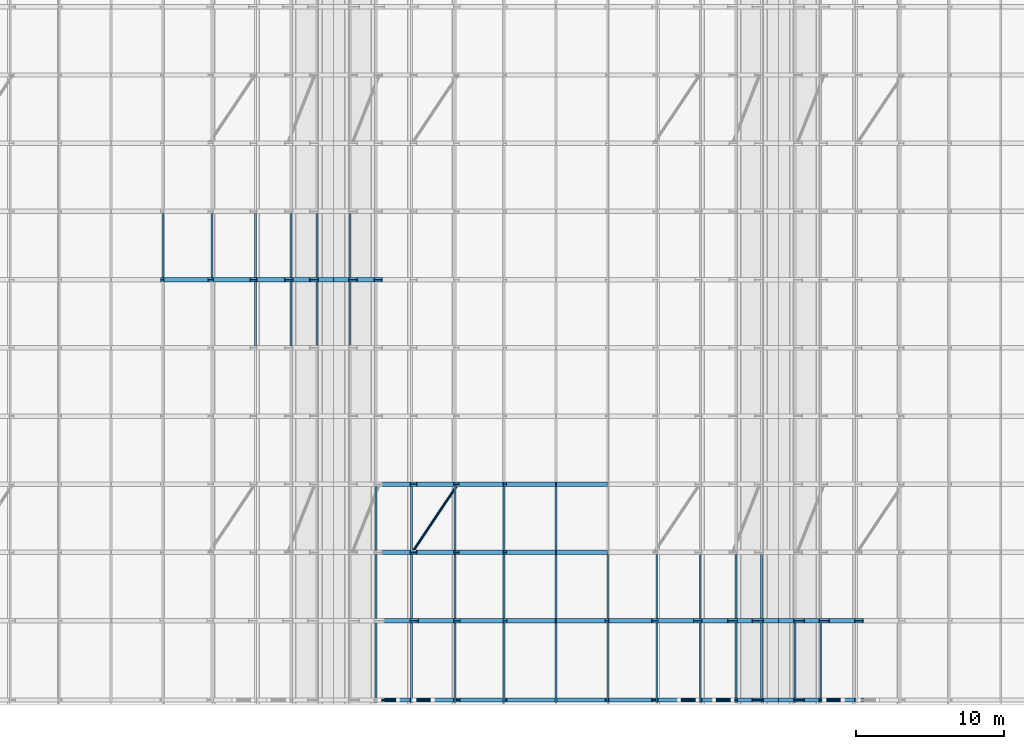
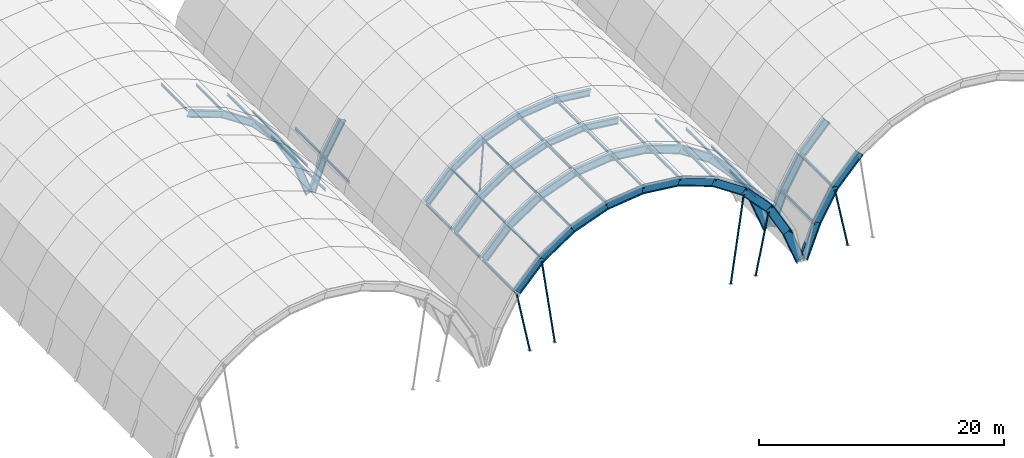
# One storey, part 9 of 47: 80 beams, 6 members.
"""IFC4 building model written with IfcOpenShell, lengths in metres."""

from ifc_helpers import new_model, si_unit, direction, frame, origin, origin_2d, place, context, subcontext, project, spatial, hollow_circle, i_section, extrude, material, material_profile, profile_set, type_object, element, save


model = new_model("IFC4")

# Units and contexts
model_context = context("Model", 3, precision=1e-05, world=origin(), true_north=direction((0.0, 1.0)))
body_context = subcontext(model_context, "Body", "Model", "MODEL_VIEW")
ifc_project = project(units=[si_unit("LENGTHUNIT", "METRE"), si_unit("AREAUNIT", "SQUARE_METRE"), si_unit("VOLUMEUNIT", "CUBIC_METRE"), si_unit("PLANEANGLEUNIT", "RADIAN"), si_unit("MASSUNIT", "GRAM", prefix="KILO")], contexts=[model_context])

# Site, building, storey
site_placement = place(None, origin())
site = spatial("IfcSite", under=ifc_project, at=site_placement, CompositionType="ELEMENT")
building_placement = place(site_placement, origin())
building = spatial("IfcBuilding", under=site, at=building_placement, Name="Muzn Square Opera House", CompositionType="ELEMENT")
storey_placement = place(building_placement, frame((0.0, 0.0, 31.0)))
storey = spatial("IfcBuildingStorey", under=building, at=storey_placement, Name="RF-1", CompositionType="ELEMENT", Elevation=31.0)

# Beams
ifc_material = material(Name="Steel S355", Category="steel")
ifc_material_profile_1 = material_profile(ifc_material, i_section(OverallWidth=0.300048828125, OverallDepth=0.800048828125, WebThickness=0.017578125, FlangeThickness=0.032958984375, FilletRadius=0.030029296875, at=origin_2d()), Name="HEB 800", Category="steel")
ifc_profile_set_1 = profile_set([ifc_material_profile_1], Name="Steel S355")
beam_type_1 = type_object("IfcBeamType", Name="Gable Arch Rib HEB800", PredefinedType="BEAM", material=ifc_profile_set_1)
beam_1_placement = place(storey_placement, frame((76.08984375, 21.25, -6.281494140625), z_axis=(0.681076644636, 0.0, 0.732212130555), x_axis=(0.0, 1.0, 0.0)))
element("IfcBeam", 1, at=beam_1_placement, inside=storey, type_object=beam_type_1, Name="Barrel Vault Arch Rib V2-00-S02", PredefinedType="BEAM", context=body_context, shape_type="SweptSolid", body=[
    extrude(i_section(OverallWidth=0.300048828125, OverallDepth=0.800048828125, WebThickness=0.017578125, FlangeThickness=0.032958984375, FilletRadius=0.030029296875, at=origin_2d()), origin(), (0.0, 0.0, 1.0), 3.45654296875),
])
for number, where, z_axis, x_axis, name in (
    (2, (78.444091796875, 21.25, -3.75048828125), (0.832701668502, 0.0, 0.553721889827), (0.0, 1.0, 0.0), "Barrel Vault Arch Rib V2-00-S03"),
    (3, (81.322509765625, 21.25, -1.83642578125), (0.938647830501, 0.0, 0.344877152471), (0.0, 1.0, 0.0), "Barrel Vault Arch Rib V2-00-S04"),
):
    element("IfcBeam", number, at=place(storey_placement, frame(where, z_axis=z_axis, x_axis=x_axis)), inside=storey, type_object=beam_type_1, Name=name, PredefinedType="BEAM", context=body_context, shape_type="SweptSolid", body=[
        extrude(i_section(OverallWidth=0.300048828125, OverallDepth=0.800048828125, WebThickness=0.017578125, FlangeThickness=0.032958984375, FilletRadius=0.030029296875, at=origin_2d()), origin(), (0.0, 0.0, 1.0), 3.456787109375),
    ])
for number, where, z_axis, x_axis, name in (
    (4, (84.567138671875, 21.25, -0.644287109375), (0.99313613312, 0.0, 0.116964187216), (0.0, 1.0, 0.0), "Barrel Vault Arch Rib V2-00-S05"),
    (5, (88.0, 21.25, -0.239990234375), (0.99313613312, 0.0, -0.116964187216), (0.0, 1.0, 0.0), "Barrel Vault Arch Rib V2-00-S06"),
):
    element("IfcBeam", number, at=place(storey_placement, frame(where, z_axis=z_axis, x_axis=x_axis)), inside=storey, type_object=beam_type_1, Name=name, PredefinedType="BEAM", context=body_context, shape_type="SweptSolid", body=[
        extrude(i_section(OverallWidth=0.300048828125, OverallDepth=0.800048828125, WebThickness=0.017578125, FlangeThickness=0.032958984375, FilletRadius=0.030029296875, at=origin_2d()), origin(), (0.0, 0.0, 1.0), 3.45654296875),
    ])
for number, where, z_axis, x_axis, name in (
    (6, (91.432861328125, 21.25, -0.644287109375), (0.938647830501, 0.0, -0.344877152471), (0.0, 1.0, 0.0), "Barrel Vault Arch Rib V2-00-S07"),
    (7, (94.677490234375, 21.25, -1.83642578125), (0.832701668502, 0.0, -0.553721889827), (0.0, 1.0, 0.0), "Barrel Vault Arch Rib V2-00-S08"),
):
    element("IfcBeam", number, at=place(storey_placement, frame(where, z_axis=z_axis, x_axis=x_axis)), inside=storey, type_object=beam_type_1, Name=name, PredefinedType="BEAM", context=body_context, shape_type="SweptSolid", body=[
        extrude(i_section(OverallWidth=0.300048828125, OverallDepth=0.800048828125, WebThickness=0.017578125, FlangeThickness=0.032958984375, FilletRadius=0.030029296875, at=origin_2d()), origin(), (0.0, 0.0, 1.0), 3.456787109375),
    ])
beam_2_placement = place(storey_placement, frame((97.555908203125, 21.25, -3.75048828125), z_axis=(0.681076644636, 0.0, -0.732212130555), x_axis=(0.0, 1.0, 0.0)))
element("IfcBeam", 8, at=beam_2_placement, inside=storey, type_object=beam_type_1, Name="Barrel Vault Arch Rib V2-00-S09", PredefinedType="BEAM", context=body_context, shape_type="SweptSolid", body=[
    extrude(i_section(OverallWidth=0.300048828125, OverallDepth=0.800048828125, WebThickness=0.017578125, FlangeThickness=0.032958984375, FilletRadius=0.030029296875, at=origin_2d()), origin(), (0.0, 0.0, 1.0), 3.45654296875),
])
beam_3_placement = place(storey_placement, frame((99.91015625, 21.25, -6.281494140625), z_axis=(0.492117762624, 0.0, -0.870528636927), x_axis=(0.0, 1.0, 0.0)))
element("IfcBeam", 9, at=beam_3_placement, inside=storey, type_object=beam_type_1, Name="Barrel Vault Arch Rib V2-00-S10", PredefinedType="BEAM", context=body_context, shape_type="SweptSolid", body=[
    extrude(i_section(OverallWidth=0.300048828125, OverallDepth=0.800048828125, WebThickness=0.017578125, FlangeThickness=0.032958984375, FilletRadius=0.030029296875, at=origin_2d()), origin(), (0.0, 0.0, 1.0), 3.456787109375),
])
beam_4_placement = place(storey_placement, frame((101.611328125, 21.25, -9.290771484375), z_axis=(0.362708999619, 0.0, -0.931902452832), x_axis=(0.0, 1.0, 0.0)))
element("IfcBeam", 10, at=beam_4_placement, inside=storey, type_object=beam_type_1, Name="Barrel Vault Arch Rib V2-00-S11", PredefinedType="BEAM", context=body_context, shape_type="SweptSolid", body=[
    extrude(i_section(OverallWidth=0.300048828125, OverallDepth=0.800048828125, WebThickness=0.017578125, FlangeThickness=0.032958984375, FilletRadius=0.030029296875, at=origin_2d()), origin(), (0.0, 0.0, 1.0), 3.49755859375),
])
beam_5_placement = place(storey_placement, frame((76.08984375, 26.60009765625, -6.281494140625), z_axis=(0.681076644636, 0.0, 0.732212130555), x_axis=(0.0, 1.0, 0.0)))
element("IfcBeam", 11, at=beam_5_placement, inside=storey, type_object=beam_type_1, Name="Barrel Vault Arch Rib V2-01-S02", PredefinedType="BEAM", context=body_context, shape_type="SweptSolid", body=[
    extrude(i_section(OverallWidth=0.300048828125, OverallDepth=0.800048828125, WebThickness=0.017578125, FlangeThickness=0.032958984375, FilletRadius=0.030029296875, at=origin_2d()), origin(), (0.0, 0.0, 1.0), 3.45654296875),
])
for number, where, z_axis, x_axis, name in (
    (12, (78.444091796875, 26.60009765625, -3.75048828125), (0.832701668502, 0.0, 0.553721889827), (0.0, 1.0, 0.0), "Barrel Vault Arch Rib V2-01-S03"),
    (13, (81.322509765625, 26.60009765625, -1.83642578125), (0.938647830501, 0.0, 0.344877152471), (0.0, 1.0, 0.0), "Barrel Vault Arch Rib V2-01-S04"),
):
    element("IfcBeam", number, at=place(storey_placement, frame(where, z_axis=z_axis, x_axis=x_axis)), inside=storey, type_object=beam_type_1, Name=name, PredefinedType="BEAM", context=body_context, shape_type="SweptSolid", body=[
        extrude(i_section(OverallWidth=0.300048828125, OverallDepth=0.800048828125, WebThickness=0.017578125, FlangeThickness=0.032958984375, FilletRadius=0.030029296875, at=origin_2d()), origin(), (0.0, 0.0, 1.0), 3.456787109375),
    ])
for number, where, z_axis, x_axis, name in (
    (14, (84.567138671875, 26.60009765625, -0.644287109375), (0.99313613312, 0.0, 0.116964187216), (0.0, 1.0, 0.0), "Barrel Vault Arch Rib V2-01-S05"),
    (15, (88.0, 26.60009765625, -0.239990234375), (0.99313613312, 0.0, -0.116964187216), (0.0, 1.0, 0.0), "Barrel Vault Arch Rib V2-01-S06"),
):
    element("IfcBeam", number, at=place(storey_placement, frame(where, z_axis=z_axis, x_axis=x_axis)), inside=storey, type_object=beam_type_1, Name=name, PredefinedType="BEAM", context=body_context, shape_type="SweptSolid", body=[
        extrude(i_section(OverallWidth=0.300048828125, OverallDepth=0.800048828125, WebThickness=0.017578125, FlangeThickness=0.032958984375, FilletRadius=0.030029296875, at=origin_2d()), origin(), (0.0, 0.0, 1.0), 3.45654296875),
    ])
for number, where, z_axis, x_axis, name in (
    (16, (91.432861328125, 26.60009765625, -0.644287109375), (0.938647830501, 0.0, -0.344877152471), (0.0, 1.0, 0.0), "Barrel Vault Arch Rib V2-01-S07"),
    (17, (94.677490234375, 26.60009765625, -1.83642578125), (0.832701668502, 0.0, -0.553721889827), (0.0, 1.0, 0.0), "Barrel Vault Arch Rib V2-01-S08"),
):
    element("IfcBeam", number, at=place(storey_placement, frame(where, z_axis=z_axis, x_axis=x_axis)), inside=storey, type_object=beam_type_1, Name=name, PredefinedType="BEAM", context=body_context, shape_type="SweptSolid", body=[
        extrude(i_section(OverallWidth=0.300048828125, OverallDepth=0.800048828125, WebThickness=0.017578125, FlangeThickness=0.032958984375, FilletRadius=0.030029296875, at=origin_2d()), origin(), (0.0, 0.0, 1.0), 3.456787109375),
    ])
beam_6_placement = place(storey_placement, frame((97.555908203125, 26.60009765625, -3.75048828125), z_axis=(0.681076644636, 0.0, -0.732212130555), x_axis=(0.0, 1.0, 0.0)))
element("IfcBeam", 18, at=beam_6_placement, inside=storey, type_object=beam_type_1, Name="Barrel Vault Arch Rib V2-01-S09", PredefinedType="BEAM", context=body_context, shape_type="SweptSolid", body=[
    extrude(i_section(OverallWidth=0.300048828125, OverallDepth=0.800048828125, WebThickness=0.017578125, FlangeThickness=0.032958984375, FilletRadius=0.030029296875, at=origin_2d()), origin(), (0.0, 0.0, 1.0), 3.45654296875),
])
beam_7_placement = place(storey_placement, frame((99.91015625, 26.60009765625, -6.281494140625), z_axis=(0.492117762624, 0.0, -0.870528636927), x_axis=(0.0, 1.0, 0.0)))
element("IfcBeam", 19, at=beam_7_placement, inside=storey, type_object=beam_type_1, Name="Barrel Vault Arch Rib V2-01-S10", PredefinedType="BEAM", context=body_context, shape_type="SweptSolid", body=[
    extrude(i_section(OverallWidth=0.300048828125, OverallDepth=0.800048828125, WebThickness=0.017578125, FlangeThickness=0.032958984375, FilletRadius=0.030029296875, at=origin_2d()), origin(), (0.0, 0.0, 1.0), 3.456787109375),
])
for number, where, z_axis, x_axis, name in (
    (20, (101.611328125, 26.60009765625, -9.290771484375), (0.362708999619, 0.0, -0.931902452832), (0.0, 1.0, 0.0), "Barrel Vault Arch Rib V2-01-S11"),
    (21, (103.1201171875, 21.25, -12.550048828125), (0.362708999619, 0.0, 0.931902452832), (0.0, 1.0, 0.0), "Barrel Vault Arch Rib V3-00-S00"),
):
    element("IfcBeam", number, at=place(storey_placement, frame(where, z_axis=z_axis, x_axis=x_axis)), inside=storey, type_object=beam_type_1, Name=name, PredefinedType="BEAM", context=body_context, shape_type="SweptSolid", body=[
        extrude(i_section(OverallWidth=0.300048828125, OverallDepth=0.800048828125, WebThickness=0.017578125, FlangeThickness=0.032958984375, FilletRadius=0.030029296875, at=origin_2d()), origin(), (0.0, 0.0, 1.0), 3.49755859375),
    ])
beam_8_placement = place(storey_placement, frame((104.388671875, 21.25, -9.290771484375), z_axis=(0.492117762624, 0.0, 0.870528636927), x_axis=(0.0, 1.0, 0.0)))
element("IfcBeam", 22, at=beam_8_placement, inside=storey, type_object=beam_type_1, Name="Barrel Vault Arch Rib V3-00-S01", PredefinedType="BEAM", context=body_context, shape_type="SweptSolid", body=[
    extrude(i_section(OverallWidth=0.300048828125, OverallDepth=0.800048828125, WebThickness=0.017578125, FlangeThickness=0.032958984375, FilletRadius=0.030029296875, at=origin_2d()), origin(), (0.0, 0.0, 1.0), 3.456787109375),
])
beam_9_placement = place(storey_placement, frame((106.08984375, 21.25, -6.281494140625), z_axis=(0.681076644636, 0.0, 0.732212130555), x_axis=(0.0, 1.0, 0.0)))
element("IfcBeam", 23, at=beam_9_placement, inside=storey, type_object=beam_type_1, Name="Barrel Vault Arch Rib V3-00-S02", PredefinedType="BEAM", context=body_context, shape_type="SweptSolid", body=[
    extrude(i_section(OverallWidth=0.300048828125, OverallDepth=0.800048828125, WebThickness=0.017578125, FlangeThickness=0.032958984375, FilletRadius=0.030029296875, at=origin_2d()), origin(), (0.0, 0.0, 1.0), 3.45654296875),
])
beam_10_placement = place(storey_placement, frame((103.1201171875, 26.60009765625, -12.550048828125), z_axis=(0.362708999619, 0.0, 0.931902452832), x_axis=(0.0, 1.0, 0.0)))
element("IfcBeam", 24, at=beam_10_placement, inside=storey, type_object=beam_type_1, Name="Barrel Vault Arch Rib V3-01-S00", PredefinedType="BEAM", context=body_context, shape_type="SweptSolid", body=[
    extrude(i_section(OverallWidth=0.300048828125, OverallDepth=0.800048828125, WebThickness=0.017578125, FlangeThickness=0.032958984375, FilletRadius=0.030029296875, at=origin_2d()), origin(), (0.0, 0.0, 1.0), 3.49755859375),
])
beam_11_placement = place(storey_placement, frame((104.388671875, 26.60009765625, -9.290771484375), z_axis=(0.492117762624, 0.0, 0.870528636927), x_axis=(0.0, 1.0, 0.0)))
element("IfcBeam", 25, at=beam_11_placement, inside=storey, type_object=beam_type_1, Name="Barrel Vault Arch Rib V3-01-S01", PredefinedType="BEAM", context=body_context, shape_type="SweptSolid", body=[
    extrude(i_section(OverallWidth=0.300048828125, OverallDepth=0.800048828125, WebThickness=0.017578125, FlangeThickness=0.032958984375, FilletRadius=0.030029296875, at=origin_2d()), origin(), (0.0, 0.0, 1.0), 3.456787109375),
])
beam_12_placement = place(storey_placement, frame((106.08984375, 26.60009765625, -6.281494140625), z_axis=(0.681076644636, 0.0, 0.732212130555), x_axis=(0.0, 1.0, 0.0)))
element("IfcBeam", 26, at=beam_12_placement, inside=storey, type_object=beam_type_1, Name="Barrel Vault Arch Rib V3-01-S02", PredefinedType="BEAM", context=body_context, shape_type="SweptSolid", body=[
    extrude(i_section(OverallWidth=0.300048828125, OverallDepth=0.800048828125, WebThickness=0.017578125, FlangeThickness=0.032958984375, FilletRadius=0.030029296875, at=origin_2d()), origin(), (0.0, 0.0, 1.0), 3.45654296875),
])
ifc_material_profile_2 = material_profile(ifc_material, i_section(OverallWidth=0.1201171875, OverallDepth=0.239990234375, WebThickness=0.006103515625, FlangeThickness=0.009765625, FilletRadius=0.014892578125, at=origin_2d()), Name="IPE 240", Category="steel")
ifc_profile_set_2 = profile_set([ifc_material_profile_2], Name="Steel S355")
beam_type_2 = type_object("IfcBeamType", Name="Roof Purlin IPE240", PredefinedType="USERDEFINED", material=ifc_profile_set_2)
for number, where, z_axis, x_axis, name in (
    (27, (67.7373046875, 45.139892578125, -3.537109375), (0.0, 1.0, 0.0), (-1.0, 0.0, 0.0), "Barrel Vault Roof Purlin V1-05-P18"),
    (28, (70.13623046875, 45.139892578125, -6.1162109375), (0.0, 1.0, 0.0), (-1.0, 0.0, 0.0), "Barrel Vault Roof Purlin V1-05-P20"),
    (29, (71.869384765625, 45.139892578125, -9.1826171875), (0.0, 1.0, 0.0), (-1.0, 0.0, 0.0), "Barrel Vault Roof Purlin V1-05-P22"),
    (30, (61.498046875, 49.739990234375, -0.3720703125), (0.0, 1.0, 0.0), (-1.0, 0.0, 0.0), "Barrel Vault Roof Purlin V1-06-P14"),
    (31, (64.80419921875, 49.739990234375, -1.5869140625), (0.0, 1.0, 0.0), (-1.0, 0.0, 0.0), "Barrel Vault Roof Purlin V1-06-P16"),
    (32, (67.7373046875, 49.739990234375, -3.537109375), (0.0, 1.0, 0.0), (-1.0, 0.0, 0.0), "Barrel Vault Roof Purlin V1-06-P18"),
    (33, (70.13623046875, 49.739990234375, -6.1162109375), (0.0, 1.0, 0.0), (-1.0, 0.0, 0.0), "Barrel Vault Roof Purlin V1-06-P20"),
    (34, (71.869384765625, 49.739990234375, -9.1826171875), (0.0, 1.0, 0.0), (-1.0, 0.0, 0.0), "Barrel Vault Roof Purlin V1-06-P22"),
):
    element("IfcBeam", number, at=place(storey_placement, frame(where, z_axis=z_axis, x_axis=x_axis)), inside=storey, type_object=beam_type_2, Name=name, ObjectType="PURLIN", PredefinedType="USERDEFINED", context=body_context, shape_type="SweptSolid", body=[
        extrude(i_section(OverallWidth=0.1201171875, OverallDepth=0.239990234375, WebThickness=0.006103515625, FlangeThickness=0.009765625, FilletRadius=0.014892578125, at=origin_2d()), origin(), (0.0, 0.0, 1.0), 4.320068359375),
    ])
for number, where, z_axis, x_axis, name in (
    (35, (75.86376953125, 21.090087890625, -6.1162109375), (0.0, 1.0, 0.0), (-1.0, 0.0, 0.0), "Barrel Vault Roof Purlin V2-00-P04"),
    (36, (78.2626953125, 21.090087890625, -3.537109375), (0.0, 1.0, 0.0), (-1.0, 0.0, 0.0), "Barrel Vault Roof Purlin V2-00-P06"),
    (37, (81.19580078125, 21.090087890625, -1.5869140625), (0.0, 1.0, 0.0), (-1.0, 0.0, 0.0), "Barrel Vault Roof Purlin V2-00-P08"),
    (38, (84.501953125, 21.090087890625, -0.3720703125), (0.0, 1.0, 0.0), (-1.0, 0.0, 0.0), "Barrel Vault Roof Purlin V2-00-P10"),
    (39, (88.0, 21.090087890625, 0.0400390625), (0.0, 1.0, 0.0), (-1.0, 0.0, 0.0), "Barrel Vault Roof Purlin V2-00-P12"),
    (40, (91.498046875, 21.090087890625, -0.3720703125), (0.0, 1.0, 0.0), (-1.0, 0.0, 0.0), "Barrel Vault Roof Purlin V2-00-P14"),
    (41, (94.80419921875, 21.090087890625, -1.5869140625), (0.0, 1.0, 0.0), (-1.0, 0.0, 0.0), "Barrel Vault Roof Purlin V2-00-P16"),
    (42, (97.7373046875, 21.090087890625, -3.537109375), (0.0, 1.0, 0.0), (-1.0, 0.0, 0.0), "Barrel Vault Roof Purlin V2-00-P18"),
    (43, (100.13623046875, 21.090087890625, -6.1162109375), (0.0, 1.0, 0.0), (-1.0, 0.0, 0.0), "Barrel Vault Roof Purlin V2-00-P20"),
    (44, (101.869384765625, 21.090087890625, -9.1826171875), (0.0, 1.0, 0.0), (-1.0, 0.0, 0.0), "Barrel Vault Roof Purlin V2-00-P22"),
):
    element("IfcBeam", number, at=place(storey_placement, frame(where, z_axis=z_axis, x_axis=x_axis)), inside=storey, type_object=beam_type_2, Name=name, ObjectType="PURLIN", PredefinedType="USERDEFINED", context=body_context, shape_type="SweptSolid", body=[
        extrude(i_section(OverallWidth=0.1201171875, OverallDepth=0.239990234375, WebThickness=0.006103515625, FlangeThickness=0.009765625, FilletRadius=0.014892578125, at=origin_2d()), origin(), (0.0, 0.0, 1.0), 5.369873046875),
    ])
for number, where, z_axis, x_axis, name in (
    (45, (75.86376953125, 26.739990234375, -6.1162109375), (0.0, 1.0, 0.0), (-1.0, 0.0, 0.0), "Barrel Vault Roof Purlin V2-01-P04"),
    (46, (78.2626953125, 26.739990234375, -3.537109375), (0.0, 1.0, 0.0), (-1.0, 0.0, 0.0), "Barrel Vault Roof Purlin V2-01-P06"),
    (47, (81.19580078125, 26.739990234375, -1.5869140625), (0.0, 1.0, 0.0), (-1.0, 0.0, 0.0), "Barrel Vault Roof Purlin V2-01-P08"),
    (48, (84.501953125, 26.739990234375, -0.3720703125), (0.0, 1.0, 0.0), (-1.0, 0.0, 0.0), "Barrel Vault Roof Purlin V2-01-P10"),
    (49, (88.0, 26.739990234375, 0.0400390625), (0.0, 1.0, 0.0), (-1.0, 0.0, 0.0), "Barrel Vault Roof Purlin V2-01-P12"),
    (50, (91.498046875, 26.739990234375, -0.3720703125), (0.0, 1.0, 0.0), (-1.0, 0.0, 0.0), "Barrel Vault Roof Purlin V2-01-P14"),
    (51, (94.80419921875, 26.739990234375, -1.5869140625), (0.0, 1.0, 0.0), (-1.0, 0.0, 0.0), "Barrel Vault Roof Purlin V2-01-P16"),
    (52, (97.7373046875, 26.739990234375, -3.537109375), (0.0, 1.0, 0.0), (-1.0, 0.0, 0.0), "Barrel Vault Roof Purlin V2-01-P18"),
    (53, (100.13623046875, 26.739990234375, -6.1162109375), (0.0, 1.0, 0.0), (-1.0, 0.0, 0.0), "Barrel Vault Roof Purlin V2-01-P20"),
    (54, (101.869384765625, 26.739990234375, -9.1826171875), (0.0, 1.0, 0.0), (-1.0, 0.0, 0.0), "Barrel Vault Roof Purlin V2-01-P22"),
):
    element("IfcBeam", number, at=place(storey_placement, frame(where, z_axis=z_axis, x_axis=x_axis)), inside=storey, type_object=beam_type_2, Name=name, ObjectType="PURLIN", PredefinedType="USERDEFINED", context=body_context, shape_type="SweptSolid", body=[
        extrude(i_section(OverallWidth=0.1201171875, OverallDepth=0.239990234375, WebThickness=0.006103515625, FlangeThickness=0.009765625, FilletRadius=0.014892578125, at=origin_2d()), origin(), (0.0, 0.0, 1.0), 4.320068359375),
    ])
for number, where, z_axis, x_axis, name in (
    (55, (75.86376953125, 31.340087890625, -6.1162109375), (0.0, 1.0, 0.0), (-1.0, 0.0, 0.0), "Barrel Vault Roof Purlin V2-02-P04"),
    (56, (78.2626953125, 31.340087890625, -3.537109375), (0.0, 1.0, 0.0), (-1.0, 0.0, 0.0), "Barrel Vault Roof Purlin V2-02-P06"),
    (57, (81.19580078125, 31.340087890625, -1.5869140625), (0.0, 1.0, 0.0), (-1.0, 0.0, 0.0), "Barrel Vault Roof Purlin V2-02-P08"),
    (58, (84.501953125, 31.340087890625, -0.3720703125), (0.0, 1.0, 0.0), (-1.0, 0.0, 0.0), "Barrel Vault Roof Purlin V2-02-P10"),
    (59, (88.0, 31.340087890625, 0.0400390625), (0.0, 1.0, 0.0), (-1.0, 0.0, 0.0), "Barrel Vault Roof Purlin V2-02-P12"),
):
    element("IfcBeam", number, at=place(storey_placement, frame(where, z_axis=z_axis, x_axis=x_axis)), inside=storey, type_object=beam_type_2, Name=name, ObjectType="PURLIN", PredefinedType="USERDEFINED", context=body_context, shape_type="SweptSolid", body=[
        extrude(i_section(OverallWidth=0.1201171875, OverallDepth=0.239990234375, WebThickness=0.006103515625, FlangeThickness=0.009765625, FilletRadius=0.014892578125, at=origin_2d()), origin(), (0.0, 0.0, 1.0), 4.31982421875),
    ])
for number, where, z_axis, x_axis, name in (
    (60, (74.130615234375, 45.139892578125, -9.1826171875), (0.0, 1.0, 0.0), (-1.0, 0.0, 0.0), "Barrel Vault Roof Purlin V2-05-P02"),
    (61, (74.130615234375, 49.739990234375, -9.1826171875), (0.0, 1.0, 0.0), (-1.0, 0.0, 0.0), "Barrel Vault Roof Purlin V2-06-P02"),
):
    element("IfcBeam", number, at=place(storey_placement, frame(where, z_axis=z_axis, x_axis=x_axis)), inside=storey, type_object=beam_type_2, Name=name, ObjectType="PURLIN", PredefinedType="USERDEFINED", context=body_context, shape_type="SweptSolid", body=[
        extrude(i_section(OverallWidth=0.1201171875, OverallDepth=0.239990234375, WebThickness=0.006103515625, FlangeThickness=0.009765625, FilletRadius=0.014892578125, at=origin_2d()), origin(), (0.0, 0.0, 1.0), 4.320068359375),
    ])
for number, where, z_axis, x_axis, name in (
    (62, (104.130615234375, 21.090087890625, -9.1826171875), (0.0, 1.0, 0.0), (-1.0, 0.0, 0.0), "Barrel Vault Roof Purlin V3-00-P02"),
    (63, (105.86376953125, 21.090087890625, -6.1162109375), (0.0, 1.0, 0.0), (-1.0, 0.0, 0.0), "Barrel Vault Roof Purlin V3-00-P04"),
):
    element("IfcBeam", number, at=place(storey_placement, frame(where, z_axis=z_axis, x_axis=x_axis)), inside=storey, type_object=beam_type_2, Name=name, ObjectType="PURLIN", PredefinedType="USERDEFINED", context=body_context, shape_type="SweptSolid", body=[
        extrude(i_section(OverallWidth=0.1201171875, OverallDepth=0.239990234375, WebThickness=0.006103515625, FlangeThickness=0.009765625, FilletRadius=0.014892578125, at=origin_2d()), origin(), (0.0, 0.0, 1.0), 5.369873046875),
    ])
ifc_material_profile_3 = material_profile(ifc_material, i_section(OverallWidth=0.300048828125, OverallDepth=0.64990234375, WebThickness=0.01611328125, FlangeThickness=0.031005859375, FilletRadius=0.027099609375, at=origin_2d()), Name="HEB 650", Category="steel")
ifc_profile_set_3 = profile_set([ifc_material_profile_3], Name="Steel S355")
beam_type_3 = type_object("IfcBeamType", Name="Vault Arch Rib HEB650", PredefinedType="BEAM", material=ifc_profile_set_3)
beam_13_placement = place(storey_placement, frame((61.450439453125, 49.60009765625, -0.571533203125), z_axis=(0.938661867851, 0.0, -0.344838944789), x_axis=(0.0, 1.0, 0.0)))
element("IfcBeam", 64, at=beam_13_placement, inside=storey, type_object=beam_type_3, Name="Barrel Vault Arch Rib V1-06-S07", PredefinedType="BEAM", context=body_context, shape_type="SweptSolid", body=[
    extrude(i_section(OverallWidth=0.300048828125, OverallDepth=0.64990234375, WebThickness=0.01611328125, FlangeThickness=0.031005859375, FilletRadius=0.027099609375, at=origin_2d()), origin(), (0.0, 0.0, 1.0), 3.47412109375),
])
for number, where, z_axis, x_axis, name in (
    (65, (64.71142578125, 49.60009765625, -1.76953125), (0.832698370736, 0.0, -0.553726849063), (0.0, 1.0, 0.0), "Barrel Vault Arch Rib V1-06-S08"),
    (66, (67.6044921875, 49.60009765625, -3.693359375), (0.681065393401, 0.0, -0.732222595876), (0.0, 1.0, 0.0), "Barrel Vault Arch Rib V1-06-S09"),
):
    element("IfcBeam", number, at=place(storey_placement, frame(where, z_axis=z_axis, x_axis=x_axis)), inside=storey, type_object=beam_type_3, Name=name, PredefinedType="BEAM", context=body_context, shape_type="SweptSolid", body=[
        extrude(i_section(OverallWidth=0.300048828125, OverallDepth=0.64990234375, WebThickness=0.01611328125, FlangeThickness=0.031005859375, FilletRadius=0.027099609375, at=origin_2d()), origin(), (0.0, 0.0, 1.0), 3.474365234375),
    ])
beam_14_placement = place(storey_placement, frame((69.970703125, 49.60009765625, -6.2373046875), z_axis=(0.492115144444, 0.0, -0.870530117003), x_axis=(0.0, 1.0, 0.0)))
element("IfcBeam", 67, at=beam_14_placement, inside=storey, type_object=beam_type_3, Name="Barrel Vault Arch Rib V1-06-S10", PredefinedType="BEAM", context=body_context, shape_type="SweptSolid", body=[
    extrude(i_section(OverallWidth=0.300048828125, OverallDepth=0.64990234375, WebThickness=0.01611328125, FlangeThickness=0.031005859375, FilletRadius=0.027099609375, at=origin_2d()), origin(), (0.0, 0.0, 1.0), 3.47412109375),
])
beam_15_placement = place(storey_placement, frame((71.680419921875, 49.60009765625, -9.26171875), z_axis=(0.342678144973, 0.0, -0.93945286681), x_axis=(0.0, 1.0, 0.0)))
element("IfcBeam", 68, at=beam_15_placement, inside=storey, type_object=beam_type_3, Name="Barrel Vault Arch Rib V1-06-S11", PredefinedType="BEAM", context=body_context, shape_type="SweptSolid", body=[
    extrude(i_section(OverallWidth=0.300048828125, OverallDepth=0.64990234375, WebThickness=0.01611328125, FlangeThickness=0.031005859375, FilletRadius=0.027099609375, at=origin_2d()), origin(), (0.0, 0.0, 1.0), 3.500244140625),
])
for number, where, z_axis, x_axis, name in (
    (69, (76.029296875, 31.199951171875, -6.2373046875), (0.681065393401, 0.0, 0.732222595876), (0.0, 1.0, 0.0), "Barrel Vault Arch Rib V2-02-S02"),
    (70, (78.3955078125, 31.199951171875, -3.693359375), (0.832698370736, 0.0, 0.553726849063), (0.0, 1.0, 0.0), "Barrel Vault Arch Rib V2-02-S03"),
):
    element("IfcBeam", number, at=place(storey_placement, frame(where, z_axis=z_axis, x_axis=x_axis)), inside=storey, type_object=beam_type_3, Name=name, PredefinedType="BEAM", context=body_context, shape_type="SweptSolid", body=[
        extrude(i_section(OverallWidth=0.300048828125, OverallDepth=0.64990234375, WebThickness=0.01611328125, FlangeThickness=0.031005859375, FilletRadius=0.027099609375, at=origin_2d()), origin(), (0.0, 0.0, 1.0), 3.474365234375),
    ])
beam_16_placement = place(storey_placement, frame((81.28857421875, 31.199951171875, -1.76953125), z_axis=(0.938661867851, 0.0, 0.344838944789), x_axis=(0.0, 1.0, 0.0)))
element("IfcBeam", 71, at=beam_16_placement, inside=storey, type_object=beam_type_3, Name="Barrel Vault Arch Rib V2-02-S04", PredefinedType="BEAM", context=body_context, shape_type="SweptSolid", body=[
    extrude(i_section(OverallWidth=0.300048828125, OverallDepth=0.64990234375, WebThickness=0.01611328125, FlangeThickness=0.031005859375, FilletRadius=0.027099609375, at=origin_2d()), origin(), (0.0, 0.0, 1.0), 3.47412109375),
])
for number, where, z_axis, x_axis, name in (
    (72, (84.549560546875, 31.199951171875, -0.571533203125), (0.993131884792, 0.0, 0.117000253887), (0.0, 1.0, 0.0), "Barrel Vault Arch Rib V2-02-S05"),
    (73, (88.0, 31.199951171875, -0.1650390625), (0.993131884792, 0.0, -0.117000253887), (0.0, 1.0, 0.0), "Barrel Vault Arch Rib V2-02-S06"),
    (74, (76.029296875, 35.800048828125, -6.2373046875), (0.681065393401, 0.0, 0.732222595876), (0.0, 1.0, 0.0), "Barrel Vault Arch Rib V2-03-S02"),
    (75, (78.3955078125, 35.800048828125, -3.693359375), (0.832698370736, 0.0, 0.553726849063), (0.0, 1.0, 0.0), "Barrel Vault Arch Rib V2-03-S03"),
):
    element("IfcBeam", number, at=place(storey_placement, frame(where, z_axis=z_axis, x_axis=x_axis)), inside=storey, type_object=beam_type_3, Name=name, PredefinedType="BEAM", context=body_context, shape_type="SweptSolid", body=[
        extrude(i_section(OverallWidth=0.300048828125, OverallDepth=0.64990234375, WebThickness=0.01611328125, FlangeThickness=0.031005859375, FilletRadius=0.027099609375, at=origin_2d()), origin(), (0.0, 0.0, 1.0), 3.474365234375),
    ])
beam_17_placement = place(storey_placement, frame((81.28857421875, 35.800048828125, -1.76953125), z_axis=(0.938661867851, 0.0, 0.344838944789), x_axis=(0.0, 1.0, 0.0)))
element("IfcBeam", 76, at=beam_17_placement, inside=storey, type_object=beam_type_3, Name="Barrel Vault Arch Rib V2-03-S04", PredefinedType="BEAM", context=body_context, shape_type="SweptSolid", body=[
    extrude(i_section(OverallWidth=0.300048828125, OverallDepth=0.64990234375, WebThickness=0.01611328125, FlangeThickness=0.031005859375, FilletRadius=0.027099609375, at=origin_2d()), origin(), (0.0, 0.0, 1.0), 3.47412109375),
])
for number, where, z_axis, x_axis, name in (
    (77, (84.549560546875, 35.800048828125, -0.571533203125), (0.993131884792, 0.0, 0.117000253887), (0.0, 1.0, 0.0), "Barrel Vault Arch Rib V2-03-S05"),
    (78, (88.0, 35.800048828125, -0.1650390625), (0.993131884792, 0.0, -0.117000253887), (0.0, 1.0, 0.0), "Barrel Vault Arch Rib V2-03-S06"),
):
    element("IfcBeam", number, at=place(storey_placement, frame(where, z_axis=z_axis, x_axis=x_axis)), inside=storey, type_object=beam_type_3, Name=name, PredefinedType="BEAM", context=body_context, shape_type="SweptSolid", body=[
        extrude(i_section(OverallWidth=0.300048828125, OverallDepth=0.64990234375, WebThickness=0.01611328125, FlangeThickness=0.031005859375, FilletRadius=0.027099609375, at=origin_2d()), origin(), (0.0, 0.0, 1.0), 3.474365234375),
    ])
beam_18_placement = place(storey_placement, frame((73.1201171875, 49.60009765625, -12.550048828125), z_axis=(0.342678144973, 0.0, 0.93945286681), x_axis=(0.0, 1.0, 0.0)))
element("IfcBeam", 79, at=beam_18_placement, inside=storey, type_object=beam_type_3, Name="Barrel Vault Arch Rib V2-06-S00", PredefinedType="BEAM", context=body_context, shape_type="SweptSolid", body=[
    extrude(i_section(OverallWidth=0.300048828125, OverallDepth=0.64990234375, WebThickness=0.01611328125, FlangeThickness=0.031005859375, FilletRadius=0.027099609375, at=origin_2d()), origin(), (0.0, 0.0, 1.0), 3.500244140625),
])
beam_19_placement = place(storey_placement, frame((74.319580078125, 49.60009765625, -9.26171875), z_axis=(0.492115144444, 0.0, 0.870530117003), x_axis=(0.0, 1.0, 0.0)))
element("IfcBeam", 80, at=beam_19_placement, inside=storey, type_object=beam_type_3, Name="Barrel Vault Arch Rib V2-06-S01", PredefinedType="BEAM", context=body_context, shape_type="SweptSolid", body=[
    extrude(i_section(OverallWidth=0.300048828125, OverallDepth=0.64990234375, WebThickness=0.01611328125, FlangeThickness=0.031005859375, FilletRadius=0.027099609375, at=origin_2d()), origin(), (0.0, 0.0, 1.0), 3.47412109375),
])

# Members
ifc_material_profile_4 = material_profile(ifc_material, hollow_circle(Radius=0.084228515625, WallThickness=0.010009765625, at=origin_2d()), Name="CHS 168.3x10", Category="steel")
ifc_profile_set_4 = profile_set([ifc_material_profile_4], Name="Steel S355")
member_type = type_object("IfcMemberType", Name="Vault Wind Brace CHS168", PredefinedType="BRACE", material=ifc_profile_set_4)
member_1_placement = place(storey_placement, frame((77.33984375, 21.25, -12.580078125), z_axis=(-0.200166815988, 0.0, 0.979761831149), x_axis=(0.0, -1.0, 0.0)))
element("IfcMember", 81, at=member_1_placement, inside=storey, type_object=member_type, Name="Exposed South Gable Arch Truss Web V2-W01", PredefinedType="BRACE", context=body_context, shape_type="SweptSolid", body=[
    extrude(hollow_circle(Radius=0.084228515625, WallThickness=0.010009765625, at=origin_2d()), origin(), (0.0, 0.0, 1.0), 6.244873046875),
])
for number, where, z_axis, x_axis, name in (
    (82, (79.694091796875, 21.25, -12.580078125), (-0.143032519622, 0.0, 0.989717989293), (0.0, -1.0, 0.0), "Exposed South Gable Arch Truss Web V2-W02"),
    (83, (96.305908203125, 21.25, -12.580078125), (0.143032519622, 0.0, 0.989717989293), (0.0, 1.0, 0.0), "Exposed South Gable Arch Truss Web V2-W03"),
):
    element("IfcMember", number, at=place(storey_placement, frame(where, z_axis=z_axis, x_axis=x_axis)), inside=storey, type_object=member_type, Name=name, PredefinedType="BRACE", context=body_context, shape_type="SweptSolid", body=[
        extrude(hollow_circle(Radius=0.084228515625, WallThickness=0.010009765625, at=origin_2d()), origin(), (0.0, 0.0, 1.0), 8.7392578125),
    ])
member_2_placement = place(storey_placement, frame((98.66015625, 21.25, -12.580078125), z_axis=(0.200166815988, 0.0, 0.979761831149), x_axis=(0.0, 1.0, 0.0)))
element("IfcMember", 84, at=member_2_placement, inside=storey, type_object=member_type, Name="Exposed South Gable Arch Truss Web V2-W04", PredefinedType="BRACE", context=body_context, shape_type="SweptSolid", body=[
    extrude(hollow_circle(Radius=0.084228515625, WallThickness=0.010009765625, at=origin_2d()), origin(), (0.0, 0.0, 1.0), 6.244873046875),
])
member_3_placement = place(storey_placement, frame((78.3955078125, 31.340087890625, -3.693359375), z_axis=(0.521872241446, 0.77924113419, 0.347034030599), x_axis=(-0.830878099966, 0.556454475223, 0.0)))
element("IfcMember", 85, at=member_3_placement, inside=storey, type_object=member_type, Name="Barrel Vault Wind Brace V2-02-08", PredefinedType="BRACE", context=body_context, shape_type="SweptSolid", body=[
    extrude(hollow_circle(Radius=0.084228515625, WallThickness=0.010009765625, at=origin_2d()), origin(), (0.0, 0.0, 1.0), 5.543701171875),
])
member_4_placement = place(storey_placement, frame((107.33984375, 21.25, -12.580078125), z_axis=(-0.200166815988, 0.0, 0.979761831149), x_axis=(0.0, -1.0, 0.0)))
element("IfcMember", 86, at=member_4_placement, inside=storey, type_object=member_type, Name="Exposed South Gable Arch Truss Web V3-W01", PredefinedType="BRACE", context=body_context, shape_type="SweptSolid", body=[
    extrude(hollow_circle(Radius=0.084228515625, WallThickness=0.010009765625, at=origin_2d()), origin(), (0.0, 0.0, 1.0), 6.244873046875),
])

save(model, "model.ifc")
